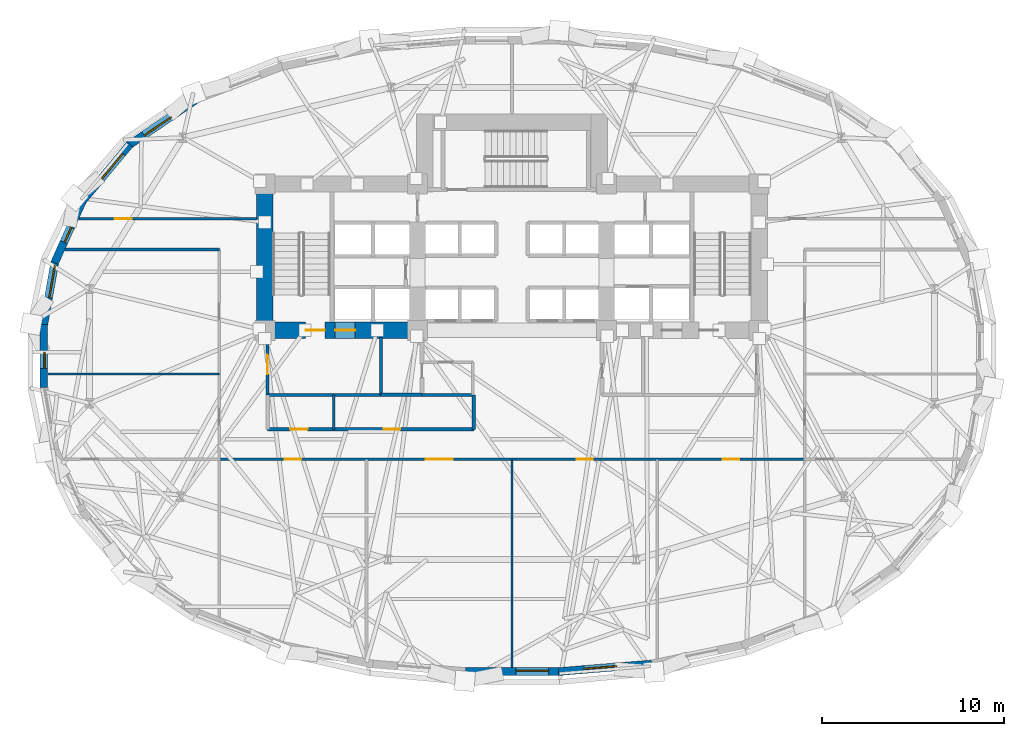
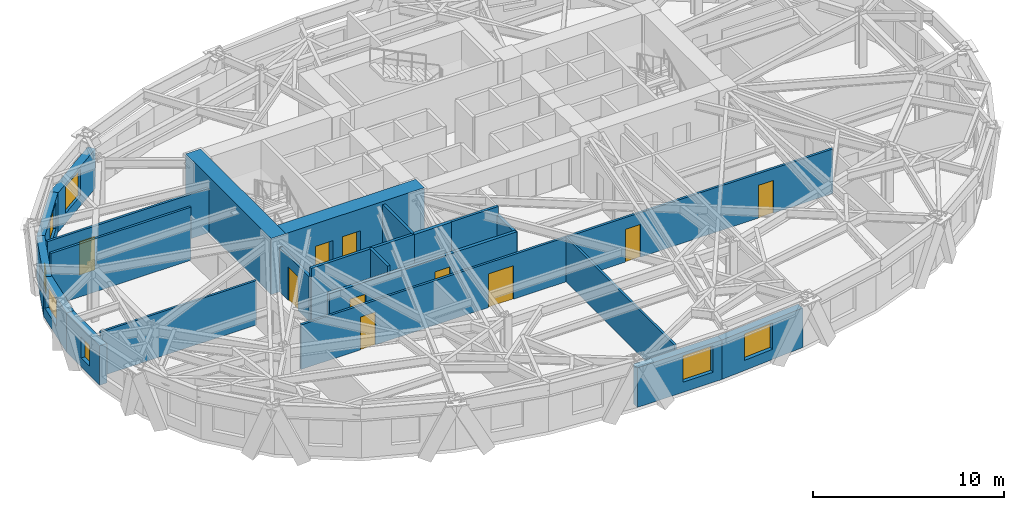
# One storey, part 6 of 13: 22 walls, 10 doors, 7 windows, 17 openings.
"""IFC4 building model written with IfcOpenShell, lengths in metres."""

from ifc_helpers import new_model, si_unit, direction, frame, frame_2d, origin, place, context, subcontext, project, spatial, rectangle, extrude, material, layer, layer_set, type_object, element, fill, save


model = new_model("IFC4")

# Units and contexts
model_context = context("Model", 3, precision=1e-05, world=origin(), true_north=direction((0.0, 1.0)))
body_context = subcontext(model_context, "Body", "Model", "MODEL_VIEW")
ifc_project = project(units=[si_unit("LENGTHUNIT", "METRE"), si_unit("AREAUNIT", "SQUARE_METRE"), si_unit("VOLUMEUNIT", "CUBIC_METRE"), si_unit("PLANEANGLEUNIT", "RADIAN"), si_unit("MASSUNIT", "GRAM", prefix="KILO")], contexts=[model_context])

# Site, building, storey
site_placement = place(None, origin())
site = spatial("IfcSite", under=ifc_project, at=site_placement, CompositionType="ELEMENT")
building_placement = place(site_placement, origin())
building = spatial("IfcBuilding", under=site, at=building_placement, Name="Keldmark Tower", CompositionType="ELEMENT")
storey_placement = place(building_placement, frame((0.0, 0.0, 34.199951171875)))
storey = spatial("IfcBuildingStorey", under=building, at=storey_placement, Name="L08", CompositionType="ELEMENT", Elevation=34.199951171875)

# Wall, openings, doors
ifc_material_1 = material(Name="Acoustic Double-Layer Gypsum Corridor Partition", Category="gypsum")
ifc_layer_1 = layer(ifc_material_1, 0.139892578125)
ifc_layer_set_1 = layer_set([ifc_layer_1], Name="Acoustic Double-Layer Gypsum Corridor Partition")
wall_type_1 = type_object("IfcWallType", Name="Acoustic Corridor Partition 140 mm", PredefinedType="PARTITIONING", material=ifc_layer_set_1)
wall_1_placement = place(storey_placement, frame((-16.10009765625, -5.699951171875, 0.0), z_axis=(0.0, 0.0, 1.0), x_axis=(1.0, 0.0, 0.0)))
wall_1 = element("IfcWall", 1, at=wall_1_placement, inside=storey, type_object=wall_type_1, Name="L08 Acoustic Corridor Partition 140 mm COR-S", PredefinedType="PARTITIONING", context=body_context, shape_type="SweptSolid", body=[
    extrude(rectangle(XDim=32.2001953125, YDim=0.139892578125, at=frame_2d((16.10009765625, 0.0))), origin(), (0.0, 0.0, 1.0), 2.85302734375),
])
opening_1_placement = place(wall_1_placement, frame((3.60009765625, 0.0, 0.0)))
opening_1 = element("IfcOpeningElement", 2, at=opening_1_placement, cuts=wall_1, Name="Opening D-IN090", PredefinedType="OPENING", context=body_context, shape_type="SweptSolid", body=[
    extrude(rectangle(XDim=0.89990234375, YDim=2.10009765625, at=frame_2d((0.449951171875, 1.050048828125))), frame((0.0, 0.079833984375, 0.0), z_axis=(0.0, -1.0, 0.0), x_axis=(1.0, 0.0, 0.0)), (0.0, 0.0, 1.0), 0.159912109375),
])
opening_2_placement = place(wall_1_placement, frame((11.35009765625, 0.0, 0.0)))
opening_2 = element("IfcOpeningElement", 3, at=opening_2_placement, cuts=wall_1, Name="Opening D-CF150", PredefinedType="OPENING", context=body_context, shape_type="SweptSolid", body=[
    extrude(rectangle(XDim=1.5, YDim=2.14990234375, at=frame_2d((0.75, 1.074951171875))), frame((0.0, 0.079833984375, 0.0), z_axis=(0.0, -1.0, 0.0), x_axis=(1.0, 0.0, 0.0)), (0.0, 0.0, 1.0), 0.159912109375),
])
opening_3_placement = place(wall_1_placement, frame((19.64990234375, 0.0, 0.0)))
opening_3 = element("IfcOpeningElement", 4, at=opening_3_placement, cuts=wall_1, Name="Opening D-IN090", PredefinedType="OPENING", context=body_context, shape_type="SweptSolid", body=[
    extrude(rectangle(XDim=0.89990234375, YDim=2.10009765625, at=frame_2d((0.449951171875, 1.050048828125))), frame((0.0, 0.079833984375, 0.0), z_axis=(0.0, -1.0, 0.0), x_axis=(1.0, 0.0, 0.0)), (0.0, 0.0, 1.0), 0.159912109375),
])
opening_4_placement = place(wall_1_placement, frame((27.699951171875, 0.0, 0.0)))
opening_4 = element("IfcOpeningElement", 5, at=opening_4_placement, cuts=wall_1, Name="Opening D-IN090", PredefinedType="OPENING", context=body_context, shape_type="SweptSolid", body=[
    extrude(rectangle(XDim=0.89990234375, YDim=2.10009765625, at=frame_2d((0.449951171875, 1.050048828125))), frame((0.0, 0.079833984375, 0.0), z_axis=(0.0, -1.0, 0.0), x_axis=(1.0, 0.0, 0.0)), (0.0, 0.0, 1.0), 0.159912109375),
])
ifc_material_2 = material(Name="Acoustic Timber and Tempered Glass Double Door", Category="wood")
door_type_1 = type_object("IfcDoorType", Name="Conference Double Door 1500x2150", OperationType="DOUBLE_DOOR_SINGLE_SWING", PredefinedType="DOOR", material=ifc_material_2)
door_1_placement = place(opening_2_placement, origin())
door_1 = element("IfcDoor", 6, at=door_1_placement, inside=storey, type_object=door_type_1, Name="L08 Conference Double Door 1500x2150 D-SR-2-L08", OperationType="DOUBLE_DOOR_SINGLE_SWING", OverallHeight=2.14990234375, OverallWidth=1.5, PredefinedType="DOOR", context=body_context, shape_type="SweptSolid", body=[
    extrude(rectangle(XDim=1.5, YDim=2.14990234375, at=frame_2d((0.75, 1.074951171875))), frame((0.0, 0.02490234375, 0.0), z_axis=(0.0, -1.0, 0.0), x_axis=(1.0, 0.0, 0.0)), (0.0, 0.0, 1.0), 0.050048828125),
])
fill(opening_2, door_1)
ifc_material_3 = material(Name="Stained American White Oak Veneer", Category="wood")
door_type_2 = type_object("IfcDoorType", Name="Interior Door 900x2100", OperationType="NOTDEFINED", PredefinedType="DOOR", material=ifc_material_3)
door_2_placement = place(opening_1_placement, origin())
door_2 = element("IfcDoor", 7, at=door_2_placement, inside=storey, type_object=door_type_2, Name="L08 Interior Door 900x2100 D-SR-1-L08", OperationType="SINGLE_SWING_LEFT", OverallHeight=2.10009765625, OverallWidth=0.89990234375, PredefinedType="DOOR", context=body_context, shape_type="SweptSolid", body=[
    extrude(rectangle(XDim=0.89990234375, YDim=2.10009765625, at=frame_2d((0.449951171875, 1.050048828125))), frame((0.0, 0.02490234375, 0.0), z_axis=(0.0, -1.0, 0.0), x_axis=(1.0, 0.0, 0.0)), (0.0, 0.0, 1.0), 0.050048828125),
])
fill(opening_1, door_2)
door_3_placement = place(opening_3_placement, origin())
door_3 = element("IfcDoor", 8, at=door_3_placement, inside=storey, type_object=door_type_2, Name="L08 Interior Door 900x2100 D-SR-3-L08", OperationType="SINGLE_SWING_RIGHT", OverallHeight=2.10009765625, OverallWidth=0.89990234375, PredefinedType="DOOR", context=body_context, shape_type="SweptSolid", body=[
    extrude(rectangle(XDim=0.89990234375, YDim=2.10009765625, at=frame_2d((0.449951171875, 1.050048828125))), frame((0.0, 0.02490234375, 0.0), z_axis=(0.0, -1.0, 0.0), x_axis=(1.0, 0.0, 0.0)), (0.0, 0.0, 1.0), 0.050048828125),
])
fill(opening_3, door_3)
door_4_placement = place(opening_4_placement, origin())
door_4 = element("IfcDoor", 9, at=door_4_placement, inside=storey, type_object=door_type_2, Name="L08 Interior Door 900x2100 D-SR-4-L08", OperationType="SINGLE_SWING_RIGHT", OverallHeight=2.10009765625, OverallWidth=0.89990234375, PredefinedType="DOOR", context=body_context, shape_type="SweptSolid", body=[
    extrude(rectangle(XDim=0.89990234375, YDim=2.10009765625, at=frame_2d((0.449951171875, 1.050048828125))), frame((0.0, 0.02490234375, 0.0), z_axis=(0.0, -1.0, 0.0), x_axis=(1.0, 0.0, 0.0)), (0.0, 0.0, 1.0), 0.050048828125),
])
fill(opening_4, door_4)

# Wall, opening, door
wall_2_placement = place(storey_placement, frame((-23.824462890625, 7.550048828125, 0.0), z_axis=(0.0, 0.0, 1.0), x_axis=(1.0, 0.0, 0.0)))
wall_2 = element("IfcWall", 10, at=wall_2_placement, inside=storey, type_object=wall_type_1, Name="L08 Acoustic Corridor Partition 140 mm COR-WN-CAP", PredefinedType="PARTITIONING", context=body_context, shape_type="SweptSolid", body=[
    extrude(rectangle(XDim=9.7744140625, YDim=0.139892578125, at=frame_2d((4.88720703125, 0.0))), origin(), (0.0, 0.0, 1.0), 2.85302734375),
])
opening_5_placement = place(wall_2_placement, frame((1.9736328125, 0.0, 0.0)))
opening_5 = element("IfcOpeningElement", 11, at=opening_5_placement, cuts=wall_2, Name="Opening D-EX092", PredefinedType="OPENING", context=body_context, shape_type="SweptSolid", body=[
    extrude(rectangle(XDim=0.919921875, YDim=2.14990234375, at=frame_2d((0.4599609375, 1.074951171875))), frame((0.0, 0.079833984375, 0.0), z_axis=(0.0, -1.0, 0.0), x_axis=(1.0, 0.0, 0.0)), (0.0, 0.0, 1.0), 0.159912109375),
])
ifc_material_4 = material(Name="Flush American Ash Executive Office Door", Category="wood")
door_type_3 = type_object("IfcDoorType", Name="Executive Office Door 920x2150", OperationType="NOTDEFINED", PredefinedType="DOOR", material=ifc_material_4)
door_5_placement = place(opening_5_placement, origin())
door_5 = element("IfcDoor", 12, at=door_5_placement, inside=storey, type_object=door_type_3, Name="L08 Executive Office Door 920x2150 D-NRNW-L08", OperationType="SINGLE_SWING_LEFT", OverallHeight=2.14990234375, OverallWidth=0.919921875, PredefinedType="DOOR", context=body_context, shape_type="SweptSolid", body=[
    extrude(rectangle(XDim=0.919921875, YDim=2.14990234375, at=frame_2d((0.4599609375, 1.074951171875))), frame((0.0, 0.02490234375, 0.0), z_axis=(0.0, -1.0, 0.0), x_axis=(1.0, 0.0, 0.0)), (0.0, 0.0, 1.0), 0.050048828125),
])
fill(opening_5, door_5)

# Wall
wall_3_placement = place(storey_placement, frame((-24.589599609375, 5.85009765625, 0.0), z_axis=(0.0, 0.0, 1.0), x_axis=(1.0, 0.0, 0.0)))
element("IfcWall", 13, at=wall_3_placement, inside=storey, type_object=wall_type_1, Name="L08 Acoustic Corridor Partition 140 mm COR-WA-S", PredefinedType="PARTITIONING", context=body_context, shape_type="SweptSolid", body=[
    extrude(rectangle(XDim=8.489501953125, YDim=0.139892578125, at=frame_2d((4.24462890625, 0.0))), origin(), (0.0, 0.0, 1.0), 3.400146484375),
])

# Wall, openings, doors
ifc_material_5 = material(Name="Heavy Acoustic Plumbing Chase Gypsum Assembly", Category="gypsum")
ifc_layer_2 = layer(ifc_material_5, 0.18994140625)
ifc_layer_set_2 = layer_set([ifc_layer_2], Name="Heavy Acoustic Plumbing Chase Gypsum Assembly")
wall_type_2 = type_object("IfcWallType", Name="Heavy Wet Wall 190 mm", PredefinedType="PLUMBINGWALL", material=ifc_layer_set_2)
wall_4_placement = place(storey_placement, frame((-13.449951171875, -4.050048828125, 0.0), z_axis=(0.0, 0.0, 1.0), x_axis=(1.0, 0.0, 0.0)))
wall_4 = element("IfcWall", 14, at=wall_4_placement, inside=storey, type_object=wall_type_2, Name="L08 Heavy Wet Wall 190 mm SPK-W-S", PredefinedType="PLUMBINGWALL", context=body_context, shape_type="SweptSolid", body=[
    extrude(rectangle(XDim=11.349853515625, YDim=0.18994140625, at=frame_2d((5.6748046875, 0.0))), origin(), (0.0, 0.0, 1.0), 2.93310546875),
])
opening_6_placement = place(wall_4_placement, frame((1.25, 0.0, 0.0)))
opening_6 = element("IfcOpeningElement", 15, at=opening_6_placement, cuts=wall_4, Name="Opening D-AWC95", PredefinedType="OPENING", context=body_context, shape_type="SweptSolid", body=[
    extrude(rectangle(XDim=0.949951171875, YDim=2.14990234375, at=frame_2d((0.47509765625, 1.074951171875))), frame((0.0, 0.10498046875, 0.0), z_axis=(0.0, -1.0, 0.0), x_axis=(1.0, 0.0, 0.0)), (0.0, 0.0, 1.0), 0.2099609375),
])
opening_7_placement = place(wall_4_placement, frame((6.39990234375, 0.0, 0.0)))
opening_7 = element("IfcOpeningElement", 16, at=opening_7_placement, cuts=wall_4, Name="Opening D-IN090", PredefinedType="OPENING", context=body_context, shape_type="SweptSolid", body=[
    extrude(rectangle(XDim=0.89990234375, YDim=2.10009765625, at=frame_2d((0.449951171875, 1.050048828125))), frame((0.0, 0.10498046875, 0.0), z_axis=(0.0, -1.0, 0.0), x_axis=(1.0, 0.0, 0.0)), (0.0, 0.0, 1.0), 0.2099609375),
])
ifc_material_6 = material(Name="Painted Solid-Core Architectural Wood", Category="wood")
door_type_4 = type_object("IfcDoorType", Name="Accessible WC Door 950x2150", OperationType="NOTDEFINED", PredefinedType="DOOR", material=ifc_material_6)
door_6_placement = place(opening_6_placement, origin())
door_6 = element("IfcDoor", 17, at=door_6_placement, inside=storey, type_object=door_type_4, Name="L08 Accessible WC Door 950x2150 D-SPKW1-L08", OperationType="SINGLE_SWING_LEFT", OverallHeight=2.14990234375, OverallWidth=0.949951171875, PredefinedType="DOOR", context=body_context, shape_type="SweptSolid", body=[
    extrude(rectangle(XDim=0.949951171875, YDim=2.14990234375, at=frame_2d((0.47509765625, 1.074951171875))), frame((0.0, 0.02490234375, 0.0), z_axis=(0.0, -1.0, 0.0), x_axis=(1.0, 0.0, 0.0)), (0.0, 0.0, 1.0), 0.050048828125),
])
fill(opening_6, door_6)
door_7_placement = place(opening_7_placement, origin())
door_7 = element("IfcDoor", 18, at=door_7_placement, inside=storey, type_object=door_type_2, Name="L08 Interior Door 900x2100 D-SPKW2-L08", OperationType="SINGLE_SWING_RIGHT", OverallHeight=2.10009765625, OverallWidth=0.89990234375, PredefinedType="DOOR", context=body_context, shape_type="SweptSolid", body=[
    extrude(rectangle(XDim=0.89990234375, YDim=2.10009765625, at=frame_2d((0.449951171875, 1.050048828125))), frame((0.0, 0.02490234375, 0.0), z_axis=(0.0, -1.0, 0.0), x_axis=(1.0, 0.0, 0.0)), (0.0, 0.0, 1.0), 0.050048828125),
])
fill(opening_7, door_7)

# Walls
wall_5_placement = place(storey_placement, frame((-2.10009765625, -4.050048828125, 0.0), z_axis=(0.0, 0.0, 1.0), x_axis=(0.0, 1.0, 0.0)))
element("IfcWall", 19, at=wall_5_placement, inside=storey, type_object=wall_type_2, Name="L08 Heavy Wet Wall 190 mm SPK-W-E", PredefinedType="PLUMBINGWALL", context=body_context, shape_type="SweptSolid", body=[
    extrude(rectangle(XDim=1.900146484375, YDim=0.18994140625, at=frame_2d((0.9501953125, 0.0))), origin(), (0.0, 0.0, 1.0), 2.85302734375),
])
ifc_material_7 = material(Name="Acoustic Gypsum Board Interior Partition", Category="gypsum")
ifc_layer_3 = layer(ifc_material_7, 0.1298828125)
ifc_layer_set_3 = layer_set([ifc_layer_3], Name="Acoustic Gypsum Board Interior Partition")
wall_type_3 = type_object("IfcWallType", Name="Interior Partition 130 mm", PredefinedType="PARTITIONING", material=ifc_layer_set_3)
wall_6_placement = place(storey_placement, frame((0.0, -17.148193359375, 0.0), z_axis=(0.0, 0.0, 1.0), x_axis=(0.0, 1.0, 0.0)))
element("IfcWall", 20, at=wall_6_placement, inside=storey, type_object=wall_type_3, Name="L08 Interior Partition 130 mm S-DIV-2", PredefinedType="PARTITIONING", context=body_context, shape_type="SweptSolid", body=[
    extrude(rectangle(XDim=11.4482421875, YDim=0.1298828125, at=frame_2d((5.72412109375, 0.0))), origin(), (0.0, 0.0, 1.0), 2.85302734375),
])
wall_7_placement = place(storey_placement, frame((-25.534912109375, -1.0, 0.0), z_axis=(0.0, 0.0, 1.0), x_axis=(1.0, 0.0, 0.0)))
element("IfcWall", 21, at=wall_7_placement, inside=storey, type_object=wall_type_3, Name="L08 Interior Partition 130 mm W-DIV-1", PredefinedType="PARTITIONING", context=body_context, shape_type="SweptSolid", body=[
    extrude(rectangle(XDim=9.434814453125, YDim=0.1298828125, at=frame_2d((4.71728515625, 0.0))), origin(), (0.0, 0.0, 1.0), 2.841064453125),
])
ifc_material_8 = material(Name="Concrete C70/85", Category="concrete")
ifc_layer_4 = layer(ifc_material_8, 0.89990234375)
ifc_layer_set_4 = layer_set([ifc_layer_4], Name="Concrete C70/85")
wall_type_4 = type_object("IfcWallType", Name="Lower Core Shear Wall 900 mm", PredefinedType="SHEAR", material=ifc_layer_set_4)
wall_8_placement = place(storey_placement, frame((-13.60009765625, 0.949951171875, 0.0), z_axis=(0.0, 0.0, 1.0), x_axis=(0.0, 1.0, 0.0)))
element("IfcWall", 22, at=wall_8_placement, inside=storey, type_object=wall_type_4, Name="L08 West Core Outer Shear Wall", PredefinedType="SHEAR", context=body_context, shape_type="SweptSolid", body=[
    extrude(rectangle(XDim=8.949951171875, YDim=0.89990234375, at=frame_2d((4.47509765625, 0.0))), origin(), (0.0, 0.0, 1.0), 3.60009765625),
])

# Wall, openings, doors
wall_9_placement = place(storey_placement, frame((-4.75, 1.39990234375, 0.0), z_axis=(0.0, 0.0, 1.0), x_axis=(-1.0, 0.0, 0.0)))
wall_9 = element("IfcWall", 23, at=wall_9_placement, inside=storey, type_object=wall_type_4, Name="L08 West Core South Shear Wall", PredefinedType="SHEAR", context=body_context, shape_type="SweptSolid", body=[
    extrude(rectangle(XDim=9.300048828125, YDim=0.89990234375, at=frame_2d((4.64990234375, 0.0))), origin(), (0.0, 0.0, 1.0), 3.60009765625),
])
opening_8_placement = place(wall_9_placement, frame((5.550048828125, 0.0, 0.0)))
opening_8 = element("IfcOpeningElement", 24, at=opening_8_placement, cuts=wall_9, Name="Opening D-ST105", PredefinedType="OPENING", context=body_context, shape_type="SweptSolid", body=[
    extrude(rectangle(XDim=1.050048828125, YDim=2.14990234375, at=frame_2d((0.52490234375, 1.074951171875))), frame((0.0, 0.4599609375, 0.0), z_axis=(0.0, -1.0, 0.0), x_axis=(1.0, 0.0, 0.0)), (0.0, 0.0, 1.0), 0.919921875),
])
opening_9_placement = place(wall_9_placement, frame((3.8798828125, 0.0, 0.0)))
opening_9 = element("IfcOpeningElement", 25, at=opening_9_placement, cuts=wall_9, Name="Opening LD-110", PredefinedType="OPENING", context=body_context, shape_type="SweptSolid", body=[
    extrude(rectangle(XDim=1.10009765625, YDim=2.199951171875, at=frame_2d((0.550048828125, 1.10009765625))), frame((0.0, 0.4599609375, 0.0), z_axis=(0.0, -1.0, 0.0), x_axis=(1.0, 0.0, 0.0)), (0.0, 0.0, 1.0), 0.919921875),
])
ifc_material_9 = material(Name="Brushed Bronze Hoistway Sliding Leaf", Category="metal")
door_type_5 = type_object("IfcDoorType", Name="Lift Landing Sliding Door 1100x2200", OperationType="SLIDING_TO_LEFT", PredefinedType="DOOR", material=ifc_material_9)
door_8_placement = place(opening_9_placement, origin())
door_8 = element("IfcDoor", 26, at=door_8_placement, inside=storey, type_object=door_type_5, Name="L08 Lift Landing Sliding Door 1100x2200 LD-EL-FS1-L08", OperationType="SLIDING_TO_LEFT", OverallHeight=2.199951171875, OverallWidth=1.10009765625, PredefinedType="DOOR", context=body_context, shape_type="SweptSolid", body=[
    extrude(rectangle(XDim=1.10009765625, YDim=2.199951171875, at=frame_2d((0.550048828125, 1.10009765625))), frame((0.0, 0.02490234375, 0.0), z_axis=(0.0, -1.0, 0.0), x_axis=(1.0, 0.0, 0.0)), (0.0, 0.0, 1.0), 0.050048828125),
])
fill(opening_9, door_8)
ifc_material_10 = material(Name="Hollow Metal Fire-Rated Door Assembly", Category="metal")
door_type_6 = type_object("IfcDoorType", Name="Stair Fire Door 1050x2150", OperationType="NOTDEFINED", PredefinedType="DOOR", material=ifc_material_10)
door_9_placement = place(opening_8_placement, origin())
door_9 = element("IfcDoor", 27, at=door_9_placement, inside=storey, type_object=door_type_6, Name="L08 Stair Fire Door 1050x2150 D-ST1-L08", OperationType="SINGLE_SWING_RIGHT", OverallHeight=2.14990234375, OverallWidth=1.050048828125, PredefinedType="DOOR", context=body_context, shape_type="SweptSolid", body=[
    extrude(rectangle(XDim=1.050048828125, YDim=2.14990234375, at=frame_2d((0.52490234375, 1.074951171875))), frame((0.0, 0.02490234375, 0.0), z_axis=(0.0, -1.0, 0.0), x_axis=(1.0, 0.0, 0.0)), (0.0, 0.0, 1.0), 0.050048828125),
])
fill(opening_8, door_9)

# Wall
ifc_material_11 = material(Name="Type X Fire-Rated Gypsum Partition Assembly", Category="gypsum")
ifc_layer_5 = layer(ifc_material_11, 0.1650390625)
ifc_layer_set_5 = layer_set([ifc_layer_5], Name="Type X Fire-Rated Gypsum Partition Assembly")
wall_type_5 = type_object("IfcWallType", Name="Rated Partition 165 mm", PredefinedType="PARTITIONING", material=ifc_layer_set_5)
wall_10_placement = place(storey_placement, frame((-13.449951171875, -2.14990234375, 0.0), z_axis=(0.0, 0.0, 1.0), x_axis=(1.0, 0.0, 0.0)))
element("IfcWall", 28, at=wall_10_placement, inside=storey, type_object=wall_type_5, Name="L08 Rated Partition 165 mm FSAE-W-S", PredefinedType="PARTITIONING", context=body_context, shape_type="SweptSolid", body=[
    extrude(rectangle(XDim=6.25, YDim=0.1650390625, at=frame_2d((3.125, 0.0))), origin(), (0.0, 0.0, 1.0), 3.400146484375),
])

# Wall, opening, door
wall_11_placement = place(storey_placement, frame((-13.449951171875, -2.14990234375, 0.0), z_axis=(0.0, 0.0, 1.0), x_axis=(0.0, 1.0, 0.0)))
wall_11 = element("IfcWall", 29, at=wall_11_placement, inside=storey, type_object=wall_type_5, Name="L08 Rated Partition 165 mm FSAE-W-W", PredefinedType="PARTITIONING", context=body_context, shape_type="SweptSolid", body=[
    extrude(rectangle(XDim=3.14990234375, YDim=0.1650390625, at=frame_2d((1.574951171875, 0.0))), origin(), (0.0, 0.0, 1.0), 2.85302734375),
])
opening_10_placement = place(wall_11_placement, frame((1.14990234375, 0.0, 0.0)))
opening_10 = element("IfcOpeningElement", 30, at=opening_10_placement, cuts=wall_11, Name="Opening D-FL105", PredefinedType="OPENING", context=body_context, shape_type="SweptSolid", body=[
    extrude(rectangle(XDim=1.050048828125, YDim=2.14990234375, at=frame_2d((0.52490234375, 1.074951171875))), frame((0.0, 0.092529296875, 0.0), z_axis=(0.0, -1.0, 0.0), x_axis=(1.0, 0.0, 0.0)), (0.0, 0.0, 1.0), 0.18505859375),
])
ifc_material_12 = material(Name="Fire-Rated Mineral-Core Door and Vision Lite", Category="metal")
door_type_7 = type_object("IfcDoorType", Name="Fire Lobby Door 1050x2150", OperationType="NOTDEFINED", PredefinedType="DOOR", material=ifc_material_12)
door_10_placement = place(opening_10_placement, origin())
door_10 = element("IfcDoor", 31, at=door_10_placement, inside=storey, type_object=door_type_7, Name="L08 Fire Lobby Door 1050x2150 D-FSAEW-OUT-L08", OperationType="SINGLE_SWING_LEFT", OverallHeight=2.14990234375, OverallWidth=1.050048828125, PredefinedType="DOOR", context=body_context, shape_type="SweptSolid", body=[
    extrude(rectangle(XDim=1.050048828125, YDim=2.14990234375, at=frame_2d((0.52490234375, 1.074951171875))), frame((0.0, 0.02490234375, 0.0), z_axis=(0.0, -1.0, 0.0), x_axis=(1.0, 0.0, 0.0)), (0.0, 0.0, 1.0), 0.050048828125),
])
fill(opening_10, door_10)

# Walls
wall_12_placement = place(storey_placement, frame((-7.199951171875, -2.14990234375, 0.0), z_axis=(0.0, 0.0, 1.0), x_axis=(0.0, 1.0, 0.0)))
element("IfcWall", 32, at=wall_12_placement, inside=storey, type_object=wall_type_5, Name="L08 Rated Partition 165 mm FSAE-W-E", PredefinedType="PARTITIONING", context=body_context, shape_type="SweptSolid", body=[
    extrude(rectangle(XDim=3.14990234375, YDim=0.1650390625, at=frame_2d((1.574951171875, 0.0))), origin(), (0.0, 0.0, 1.0), 3.400146484375),
])
ifc_material_13 = material(Name="Fire-Resistant Type X Gypsum Shaftliner Coreboard", Category="gypsum")
ifc_layer_6 = layer(ifc_material_13, 0.199951171875)
ifc_layer_set_6 = layer_set([ifc_layer_6], Name="Fire-Resistant Type X Gypsum Shaftliner Coreboard")
wall_type_6 = type_object("IfcWallType", Name="Shaft Wall 200 mm", PredefinedType="SOLIDWALL", material=ifc_layer_set_6)
wall_13_placement = place(storey_placement, frame((-7.199951171875, -2.14990234375, 0.0), z_axis=(0.0, 0.0, 1.0), x_axis=(1.0, 0.0, 0.0)))
element("IfcWall", 33, at=wall_13_placement, inside=storey, type_object=wall_type_6, Name="L08 Shaft Wall 200 mm RIS-SW-S", PredefinedType="SOLIDWALL", context=body_context, shape_type="SweptSolid", body=[
    extrude(rectangle(XDim=2.25, YDim=0.199951171875, at=frame_2d((1.125, 0.0))), origin(), (0.0, 0.0, 1.0), 3.400146484375),
])

# Wall, opening, window
ifc_material_14 = material(Name="Ironspot Manganese Brick and Kasota Buff Limestone Spandrel Assembly", Category="masonry")
ifc_layer_7 = layer(ifc_material_14, 0.43994140625)
ifc_layer_set_7 = layer_set([ifc_layer_7], Name="Ironspot Manganese Brick and Kasota Buff Limestone Spandrel Assembly")
wall_type_7 = type_object("IfcWallType", Name="Tower Brick Pier and Spandrel Wall 440 mm", PredefinedType="STANDARD", material=ifc_layer_set_7)
wall_14_placement = place(storey_placement, frame((-21.074951171875, 11.599609375, 0.0), z_axis=(0.0, 0.0, 1.0), x_axis=(0.828003115717, 0.560723497246, 0.0)))
wall_14 = element("IfcWall", 34, at=wall_14_placement, inside=storey, type_object=wall_type_7, Name="L08 Exterior Brick and Spandrel Wall 12", PredefinedType="STANDARD", context=body_context, shape_type="SweptSolid", body=[
    extrude(rectangle(XDim=4.5908203125, YDim=0.43994140625, at=frame_2d((2.29541015625, 0.0))), origin(), (0.0, 0.0, 1.0), 2.529052734375),
])
opening_11_placement = place(wall_14_placement, frame((0.9970703125, 0.0, 0.64990234375)))
opening_11 = element("IfcOpeningElement", 35, at=opening_11_placement, cuts=wall_14, Name="Opening W-02", PredefinedType="OPENING", context=body_context, shape_type="SweptSolid", body=[
    extrude(rectangle(XDim=1.800048828125, YDim=1.699951171875, at=frame_2d((0.89990234375, 0.85009765625))), frame((0.0, 0.22998046875, 0.0), z_axis=(0.0, -1.0, 0.0), x_axis=(1.0, 0.0, 0.0)), (0.0, 0.0, 1.0), 0.4599609375),
])
ifc_material_15 = material(Name="Thermally Broken Anodized Aluminum and Triple Low-E Argon Glazing", Category="aluminium")
window_type_1 = type_object("IfcWindowType", Name="Office Deep-Set Triple Window 1800x1700", PartitioningType="TRIPLE_PANEL_VERTICAL", PredefinedType="WINDOW", material=ifc_material_15)
window_1_placement = place(opening_11_placement, origin())
window_1 = element("IfcWindow", 36, at=window_1_placement, inside=storey, type_object=window_type_1, Name="L08 Deep-Set Window 12", OverallHeight=1.699951171875, OverallWidth=1.800048828125, PartitioningType="SINGLE_PANEL", PredefinedType="WINDOW", context=body_context, shape_type="SweptSolid", body=[
    extrude(rectangle(XDim=1.800048828125, YDim=1.699951171875, at=frame_2d((0.89990234375, 0.85009765625))), frame((0.0, -0.010009765625, 0.0), z_axis=(0.0, -1.0, 0.0), x_axis=(1.0, 0.0, 0.0)), (0.0, 0.0, 1.0), 0.06005859375),
])
fill(opening_11, window_1)

wall_15_placement = place(storey_placement, frame((-23.662109375, 8.485595703125, 0.0), z_axis=(0.0, 0.0, 1.0), x_axis=(0.64070435578, 0.767787684509, 0.0)))
wall_15 = element("IfcWall", 37, at=wall_15_placement, inside=storey, type_object=wall_type_7, Name="L08 Exterior Brick and Spandrel Wall 13", PredefinedType="STANDARD", context=body_context, shape_type="SweptSolid", body=[
    extrude(rectangle(XDim=4.109130859375, YDim=0.43994140625, at=frame_2d((2.0546875, 0.0))), origin(), (0.0, 0.0, 1.0), 2.532958984375),
])
opening_12_placement = place(wall_15_placement, frame((1.668701171875, 0.0, 0.64990234375)))
opening_12 = element("IfcOpeningElement", 38, at=opening_12_placement, cuts=wall_15, Name="Opening W-02", PredefinedType="OPENING", context=body_context, shape_type="SweptSolid", body=[
    extrude(rectangle(XDim=1.800048828125, YDim=1.699951171875, at=frame_2d((0.89990234375, 0.85009765625))), frame((0.0, 0.22998046875, 0.0), z_axis=(0.0, -1.0, 0.0), x_axis=(1.0, 0.0, 0.0)), (0.0, 0.0, 1.0), 0.4599609375),
])
window_2_placement = place(opening_12_placement, origin())
window_2 = element("IfcWindow", 39, at=window_2_placement, inside=storey, type_object=window_type_1, Name="L08 Deep-Set Window 13", OverallHeight=1.699951171875, OverallWidth=1.800048828125, PartitioningType="SINGLE_PANEL", PredefinedType="WINDOW", context=body_context, shape_type="SweptSolid", body=[
    extrude(rectangle(XDim=1.800048828125, YDim=1.699951171875, at=frame_2d((0.89990234375, 0.85009765625))), frame((0.0, -0.010009765625, 0.0), z_axis=(0.0, -1.0, 0.0), x_axis=(1.0, 0.0, 0.0)), (0.0, 0.0, 1.0), 0.06005859375),
])
fill(opening_12, window_2)

wall_16_placement = place(storey_placement, frame((-25.16748046875, 5.12109375, 0.0), z_axis=(0.0, 0.0, 1.0), x_axis=(0.410386362845, 0.911911746383, 0.0)))
wall_16 = element("IfcWall", 40, at=wall_16_placement, inside=storey, type_object=wall_type_7, Name="L08 Exterior Brick and Spandrel Wall 14", PredefinedType="STANDARD", context=body_context, shape_type="SweptSolid", body=[
    extrude(rectangle(XDim=3.744873046875, YDim=0.43994140625, at=frame_2d((1.87255859375, 0.0))), origin(), (0.0, 0.0, 1.0), 2.532958984375),
])
opening_13_placement = place(wall_16_placement, frame((1.247802734375, 0.0, 0.580078125)))
opening_13 = element("IfcOpeningElement", 41, at=opening_13_placement, cuts=wall_16, Name="Opening W-09", PredefinedType="OPENING", context=body_context, shape_type="SweptSolid", body=[
    extrude(rectangle(XDim=0.89990234375, YDim=1.35009765625, at=frame_2d((0.449951171875, 0.675048828125))), frame((0.0, 0.22998046875, 0.0), z_axis=(0.0, -1.0, 0.0), x_axis=(1.0, 0.0, 0.0)), (0.0, 0.0, 1.0), 0.4599609375),
])
ifc_material_16 = material(Name="Thermally Broken Anodized Aluminum and Triple Low-E Argon Glazing", Category="aluminium")
window_type_2 = type_object("IfcWindowType", Name="Corner Pier Deep-Set Window 900x1350", PartitioningType="SINGLE_PANEL", PredefinedType="WINDOW", material=ifc_material_16)
window_3_placement = place(opening_13_placement, origin())
window_3 = element("IfcWindow", 42, at=window_3_placement, inside=storey, type_object=window_type_2, Name="L08 Deep-Set Window 14", OverallHeight=1.35009765625, OverallWidth=0.89990234375, PartitioningType="SINGLE_PANEL", PredefinedType="WINDOW", context=body_context, shape_type="SweptSolid", body=[
    extrude(rectangle(XDim=0.89990234375, YDim=1.35009765625, at=frame_2d((0.449951171875, 0.675048828125))), frame((0.0, -0.010009765625, 0.0), z_axis=(0.0, -1.0, 0.0), x_axis=(1.0, 0.0, 0.0)), (0.0, 0.0, 1.0), 0.06005859375),
])
fill(opening_13, window_3)

wall_17_placement = place(storey_placement, frame((-25.766357421875, 1.69482421875, 0.0), z_axis=(0.0, 0.0, 1.0), x_axis=(0.174041624961, 0.984738296595, 0.0)))
wall_17 = element("IfcWall", 43, at=wall_17_placement, inside=storey, type_object=wall_type_7, Name="L08 Exterior Brick and Spandrel Wall 15", PredefinedType="STANDARD", context=body_context, shape_type="SweptSolid", body=[
    extrude(rectangle(XDim=3.5322265625, YDim=0.43994140625, at=frame_2d((1.76611328125, 0.0))), origin(), (0.0, 0.0, 1.0), 2.532958984375),
])
opening_14_placement = place(wall_17_placement, frame((1.5322265625, 0.0, 0.64990234375)))
opening_14 = element("IfcOpeningElement", 44, at=opening_14_placement, cuts=wall_17, Name="Opening W-02", PredefinedType="OPENING", context=body_context, shape_type="SweptSolid", body=[
    extrude(rectangle(XDim=1.800048828125, YDim=1.699951171875, at=frame_2d((0.89990234375, 0.85009765625))), frame((0.0, 0.22998046875, 0.0), z_axis=(0.0, -1.0, 0.0), x_axis=(1.0, 0.0, 0.0)), (0.0, 0.0, 1.0), 0.4599609375),
])
window_4_placement = place(opening_14_placement, origin())
window_4 = element("IfcWindow", 45, at=window_4_placement, inside=storey, type_object=window_type_1, Name="L08 Deep-Set Window 15", OverallHeight=1.699951171875, OverallWidth=1.800048828125, PartitioningType="SINGLE_PANEL", PredefinedType="WINDOW", context=body_context, shape_type="SweptSolid", body=[
    extrude(rectangle(XDim=1.800048828125, YDim=1.699951171875, at=frame_2d((0.89990234375, 0.85009765625))), frame((0.0, -0.010009765625, 0.0), z_axis=(0.0, -1.0, 0.0), x_axis=(1.0, 0.0, 0.0)), (0.0, 0.0, 1.0), 0.06005859375),
])
fill(opening_14, window_4)

wall_18_placement = place(storey_placement, frame((-25.762939453125, -1.733154296875, 0.0), z_axis=(0.0, 0.0, 1.0), x_axis=(0.0, 1.0, 0.0)))
wall_18 = element("IfcWall", 46, at=wall_18_placement, inside=storey, type_object=wall_type_7, Name="L08 Exterior Brick and Spandrel Wall 16", PredefinedType="STANDARD", context=body_context, shape_type="SweptSolid", body=[
    extrude(rectangle(XDim=3.46630859375, YDim=0.43994140625, at=frame_2d((1.733154296875, 0.0))), origin(), (0.0, 0.0, 1.0), 2.532958984375),
])
opening_15_placement = place(wall_18_placement, frame((1.036865234375, 0.0, 0.580078125)))
opening_15 = element("IfcOpeningElement", 47, at=opening_15_placement, cuts=wall_18, Name="Opening W-09", PredefinedType="OPENING", context=body_context, shape_type="SweptSolid", body=[
    extrude(rectangle(XDim=0.89990234375, YDim=1.35009765625, at=frame_2d((0.449951171875, 0.675048828125))), frame((0.0, 0.22998046875, 0.0), z_axis=(0.0, -1.0, 0.0), x_axis=(1.0, 0.0, 0.0)), (0.0, 0.0, 1.0), 0.4599609375),
])
window_5_placement = place(opening_15_placement, origin())
window_5 = element("IfcWindow", 48, at=window_5_placement, inside=storey, type_object=window_type_2, Name="L08 Deep-Set Window 16", OverallHeight=1.35009765625, OverallWidth=0.89990234375, PartitioningType="SINGLE_PANEL", PredefinedType="WINDOW", context=body_context, shape_type="SweptSolid", body=[
    extrude(rectangle(XDim=0.89990234375, YDim=1.35009765625, at=frame_2d((0.449951171875, 0.675048828125))), frame((0.0, -0.010009765625, 0.0), z_axis=(0.0, -1.0, 0.0), x_axis=(1.0, 0.0, 0.0)), (0.0, 0.0, 1.0), 0.06005859375),
])
fill(opening_15, window_5)

wall_19_placement = place(storey_placement, frame((2.55908203125, -17.376220703125, 0.0), z_axis=(0.0, 0.0, 1.0), x_axis=(-1.0, 0.0, 0.0)))
wall_19 = element("IfcWall", 49, at=wall_19_placement, inside=storey, type_object=wall_type_7, Name="L08 Exterior Brick and Spandrel Wall 24", PredefinedType="STANDARD", context=body_context, shape_type="SweptSolid", body=[
    extrude(rectangle(XDim=5.1181640625, YDim=0.43994140625, at=frame_2d((2.55908203125, 0.0))), origin(), (0.0, 0.0, 1.0), 2.532958984375),
])
opening_16_placement = place(wall_19_placement, frame((0.546142578125, 0.0, 0.64990234375)))
opening_16 = element("IfcOpeningElement", 50, at=opening_16_placement, cuts=wall_19, Name="Opening W-02", PredefinedType="OPENING", context=body_context, shape_type="SweptSolid", body=[
    extrude(rectangle(XDim=1.800048828125, YDim=1.699951171875, at=frame_2d((0.89990234375, 0.85009765625))), frame((0.0, 0.22998046875, 0.0), z_axis=(0.0, -1.0, 0.0), x_axis=(1.0, 0.0, 0.0)), (0.0, 0.0, 1.0), 0.4599609375),
])
window_6_placement = place(opening_16_placement, origin())
window_6 = element("IfcWindow", 51, at=window_6_placement, inside=storey, type_object=window_type_1, Name="L08 Deep-Set Window 24", OverallHeight=1.699951171875, OverallWidth=1.800048828125, PartitioningType="SINGLE_PANEL", PredefinedType="WINDOW", context=body_context, shape_type="SweptSolid", body=[
    extrude(rectangle(XDim=1.800048828125, YDim=1.699951171875, at=frame_2d((0.89990234375, 0.85009765625))), frame((0.0, -0.010009765625, 0.0), z_axis=(0.0, -1.0, 0.0), x_axis=(1.0, 0.0, 0.0)), (0.0, 0.0, 1.0), 0.06005859375),
])
fill(opening_16, window_6)

wall_20_placement = place(storey_placement, frame((7.677490234375, -16.960693359375, 0.0), z_axis=(0.0, 0.0, 1.0), x_axis=(-0.996732038622, -0.080778977367, 0.0)))
wall_20 = element("IfcWall", 52, at=wall_20_placement, inside=storey, type_object=wall_type_7, Name="L08 Exterior Brick and Spandrel Wall 25", PredefinedType="STANDARD", context=body_context, shape_type="SweptSolid", body=[
    extrude(rectangle(XDim=5.153076171875, YDim=0.43994140625, at=frame_2d((2.57666015625, 0.0))), origin(), (0.0, 0.0, 1.0), 2.532958984375),
])
opening_17_placement = place(wall_20_placement, frame((1.922607421875, 0.0, 0.64990234375)))
opening_17 = element("IfcOpeningElement", 53, at=opening_17_placement, cuts=wall_20, Name="Opening W-02", PredefinedType="OPENING", context=body_context, shape_type="SweptSolid", body=[
    extrude(rectangle(XDim=1.800048828125, YDim=1.699951171875, at=frame_2d((0.89990234375, 0.85009765625))), frame((0.0, 0.22998046875, 0.0), z_axis=(0.0, -1.0, 0.0), x_axis=(1.0, 0.0, 0.0)), (0.0, 0.0, 1.0), 0.4599609375),
])
window_7_placement = place(opening_17_placement, origin())
window_7 = element("IfcWindow", 54, at=window_7_placement, inside=storey, type_object=window_type_1, Name="L08 Deep-Set Window 25", OverallHeight=1.699951171875, OverallWidth=1.800048828125, PartitioningType="SINGLE_PANEL", PredefinedType="WINDOW", context=body_context, shape_type="SweptSolid", body=[
    extrude(rectangle(XDim=1.800048828125, YDim=1.699951171875, at=frame_2d((0.89990234375, 0.85009765625))), frame((0.0, -0.010009765625, 0.0), z_axis=(0.0, -1.0, 0.0), x_axis=(1.0, 0.0, 0.0)), (0.0, 0.0, 1.0), 0.06005859375),
])
fill(opening_17, window_7)

# Walls
ifc_material_17 = material(Name="Moisture-Resistant Gypsum Plumbing Partition", Category="gypsum")
ifc_layer_8 = layer(ifc_material_17, 0.14990234375)
ifc_layer_set_8 = layer_set([ifc_layer_8], Name="Moisture-Resistant Gypsum Plumbing Partition")
wall_type_8 = type_object("IfcWallType", Name="Wet Wall 150 mm", PredefinedType="PLUMBINGWALL", material=ifc_layer_set_8)
wall_21_placement = place(storey_placement, frame((-4.949951171875, -2.14990234375, 0.0), z_axis=(0.0, 0.0, 1.0), x_axis=(1.0, 0.0, 0.0)))
element("IfcWall", 55, at=wall_21_placement, inside=storey, type_object=wall_type_8, Name="L08 Wet Wall 150 mm SPK-W-N", PredefinedType="PLUMBINGWALL", context=body_context, shape_type="SweptSolid", body=[
    extrude(rectangle(XDim=2.849853515625, YDim=0.14990234375, at=frame_2d((1.4248046875, 0.0))), origin(), (0.0, 0.0, 1.0), 3.400146484375),
])
wall_22_placement = place(storey_placement, frame((-9.800048828125, -4.050048828125, 0.0), z_axis=(0.0, 0.0, 1.0), x_axis=(0.0, 1.0, 0.0)))
element("IfcWall", 56, at=wall_22_placement, inside=storey, type_object=wall_type_8, Name="L08 Wet Wall 150 mm SPK-W-D1", PredefinedType="PLUMBINGWALL", context=body_context, shape_type="SweptSolid", body=[
    extrude(rectangle(XDim=1.900146484375, YDim=0.14990234375, at=frame_2d((0.9501953125, 0.0))), origin(), (0.0, 0.0, 1.0), 3.400146484375),
])

save(model, "model.ifc")
